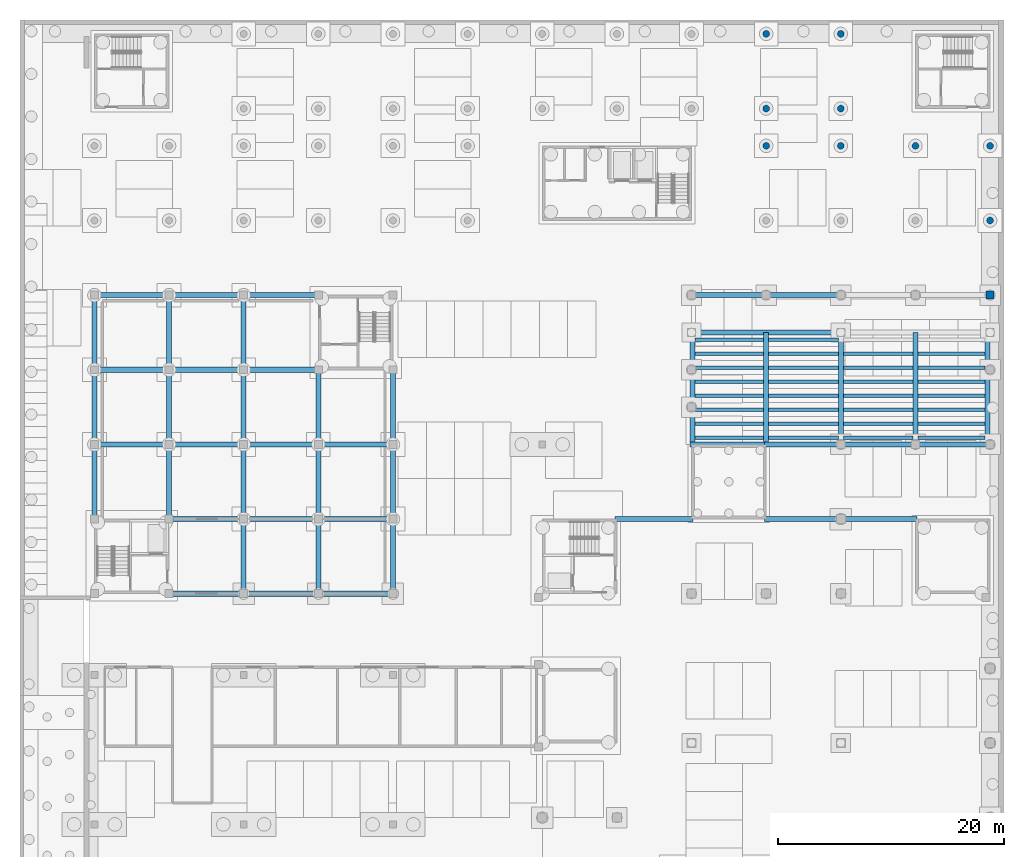
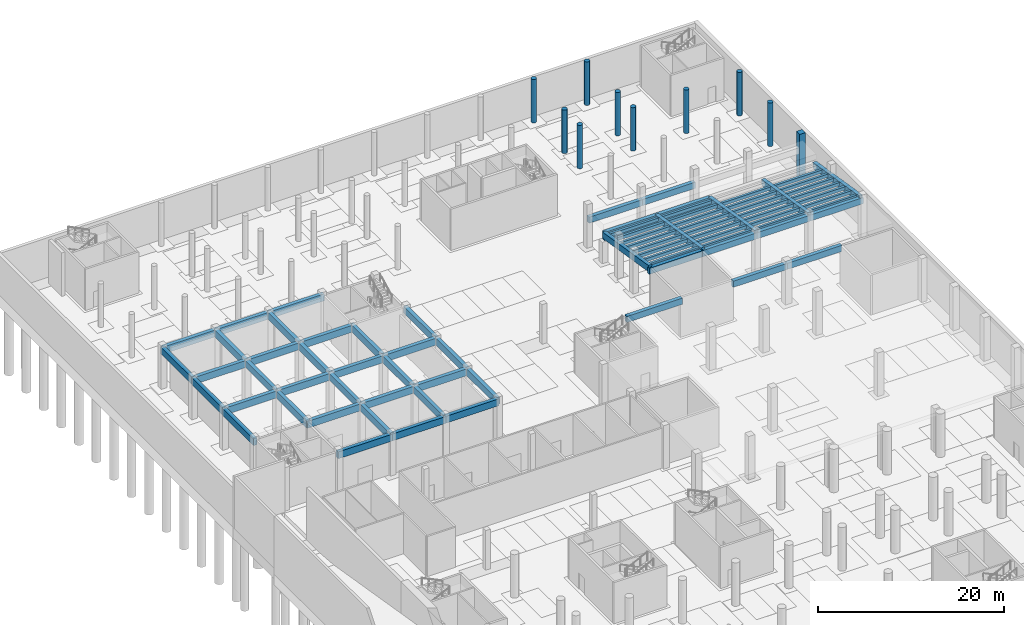
# One storey, part 6 of 38: 77 beams, 10 columns.
"""IFC4 building model written with IfcOpenShell, lengths in metres."""

from ifc_helpers import new_model, si_unit, direction, frame, origin, origin_2d, place, context, subcontext, project, spatial, rectangle, circle, extrude, material, material_profile, profile_set, type_object, element, save


model = new_model("IFC4")

# Units and contexts
model_context = context("Model", 3, precision=1e-05, world=origin(), true_north=direction((0.0, 1.0)))
body_context = subcontext(model_context, "Body", "Model", "MODEL_VIEW")
ifc_project = project(units=[si_unit("LENGTHUNIT", "METRE"), si_unit("AREAUNIT", "SQUARE_METRE"), si_unit("VOLUMEUNIT", "CUBIC_METRE"), si_unit("PLANEANGLEUNIT", "RADIAN"), si_unit("MASSUNIT", "GRAM", prefix="KILO")], contexts=[model_context])

# Site, building, storey
site_placement = place(None, origin())
site = spatial("IfcSite", under=ifc_project, at=site_placement, CompositionType="ELEMENT")
building_placement = place(site_placement, origin())
building = spatial("IfcBuilding", under=site, at=building_placement, Name="Lantern Court Research Institute", CompositionType="ELEMENT")
storey_placement = place(building_placement, frame((0.0, 0.0, -5.699951171875)))
storey = spatial("IfcBuildingStorey", under=building, at=storey_placement, Name="B1", CompositionType="ELEMENT", Elevation=-5.699951171875)

# Columns
ifc_material_1 = material(Name="Concrete C40/50", Category="concrete")
ifc_material_profile_1 = material_profile(ifc_material_1, rectangle(XDim=0.699951171875, YDim=0.699951171875, at=origin_2d()), Name="Hall column 700 x 700")
ifc_profile_set_1 = profile_set([ifc_material_profile_1], Name="Concrete C40/50")
column_type_1 = type_object("IfcColumnType", Name="Hall column 700 x 700", PredefinedType="COLUMN", material=ifc_profile_set_1)
column_placement = place(storey_placement, frame((79.199951171875, 75.89990234375, 0.0), z_axis=(0.0, 0.0, 1.0), x_axis=(1.0, 0.0, 0.0)))
element("IfcColumn", 1, at=column_placement, inside=storey, type_object=column_type_1, Name="Hall column", PredefinedType="COLUMN", context=body_context, shape_type="SweptSolid", body=[
    extrude(rectangle(XDim=0.699951171875, YDim=0.699951171875, at=origin_2d()), origin(), (0.0, 0.0, 1.0), 5.699951171875),
])
ifc_material_2 = material(Name="Concrete C40/50", Category="concrete")
ifc_material_profile_2 = material_profile(ifc_material_2, circle(Radius=0.300048828125, at=origin_2d()), Name="RC round column 600")
ifc_profile_set_2 = profile_set([ifc_material_profile_2], Name="Concrete C40/50")
column_type_2 = type_object("IfcColumnType", Name="RC round column 600", PredefinedType="COLUMN", material=ifc_profile_set_2)
for number, where, z_axis, x_axis, name in (
    (2, (59.39990234375, 89.10009765625, 0.0), (0.0, 0.0, 1.0), (1.0, 0.0, 0.0), "Column B1 grid 10/K"),
    (3, (59.39990234375, 92.39990234375, 0.0), (0.0, 0.0, 1.0), (1.0, 0.0, 0.0), "Column B1 grid 10/L"),
    (4, (59.39990234375, 99.0, 0.0), (0.0, 0.0, 1.0), (1.0, 0.0, 0.0), "Column B1 grid 10/M"),
    (5, (66.0, 89.10009765625, 0.0), (0.0, 0.0, 1.0), (1.0, 0.0, 0.0), "Column B1 grid 11/K"),
    (6, (66.0, 92.39990234375, 0.0), (0.0, 0.0, 1.0), (1.0, 0.0, 0.0), "Column B1 grid 11/L"),
    (7, (66.0, 99.0, 0.0), (0.0, 0.0, 1.0), (1.0, 0.0, 0.0), "Column B1 grid 11/M"),
    (8, (72.60009765625, 89.10009765625, 0.0), (0.0, 0.0, 1.0), (1.0, 0.0, 0.0), "Column B1 grid 12/K"),
    (9, (79.199951171875, 82.5, 0.0), (0.0, 0.0, 1.0), (1.0, 0.0, 0.0), "Column B1 grid 13/J"),
    (10, (79.199951171875, 89.10009765625, 0.0), (0.0, 0.0, 1.0), (1.0, 0.0, 0.0), "Column B1 grid 13/K"),
):
    element("IfcColumn", number, at=place(storey_placement, frame(where, z_axis=z_axis, x_axis=x_axis)), inside=storey, type_object=column_type_2, Name=name, PredefinedType="COLUMN", context=body_context, shape_type="SweptSolid", body=[
        extrude(circle(Radius=0.300048828125, at=origin_2d()), origin(), (0.0, 0.0, 1.0), 5.699951171875),
    ])

# Beams
ifc_material_3 = material(Name="Concrete C40/50", Category="concrete")
ifc_material_profile_3 = material_profile(ifc_material_3, rectangle(XDim=0.449951171875, YDim=0.89990234375, at=origin_2d()), Name="Clean room beam 450 x 900")
ifc_profile_set_3 = profile_set([ifc_material_profile_3], Name="Concrete C40/50")
beam_type_1 = type_object("IfcBeamType", Name="Clean room beam 450 x 900", PredefinedType="BEAM", material=ifc_profile_set_3)
beam_1_placement = place(storey_placement, frame((6.449951171875, 49.5, 4.89990234375), z_axis=(1.0, 0.0, 0.0), x_axis=(0.0, 1.0, 0.0)))
element("IfcBeam", 11, at=beam_1_placement, inside=storey, type_object=beam_type_1, Name="Clean room beam", PredefinedType="BEAM", context=body_context, shape_type="SweptSolid", body=[
    extrude(rectangle(XDim=0.449951171875, YDim=0.89990234375, at=origin_2d()), origin(), (0.0, 0.0, 1.0), 6.75),
])
beam_2_placement = place(storey_placement, frame((13.199951171875, 49.5, 4.89990234375), z_axis=(1.0, 0.0, 0.0), x_axis=(0.0, 1.0, 0.0)))
element("IfcBeam", 12, at=beam_2_placement, inside=storey, type_object=beam_type_1, Name="Clean room beam", PredefinedType="BEAM", context=body_context, shape_type="SweptSolid", body=[
    extrude(rectangle(XDim=0.449951171875, YDim=0.89990234375, at=origin_2d()), origin(), (0.0, 0.0, 1.0), 6.60009765625),
])
beam_3_placement = place(storey_placement, frame((19.800048828125, 49.5, 4.89990234375), z_axis=(1.0, 0.0, 0.0), x_axis=(0.0, 1.0, 0.0)))
element("IfcBeam", 13, at=beam_3_placement, inside=storey, type_object=beam_type_1, Name="Clean room beam", PredefinedType="BEAM", context=body_context, shape_type="SweptSolid", body=[
    extrude(rectangle(XDim=0.449951171875, YDim=0.89990234375, at=origin_2d()), origin(), (0.0, 0.0, 1.0), 6.599853515625),
])
beam_4_placement = place(storey_placement, frame((6.449951171875, 56.10009765625, 4.89990234375), z_axis=(1.0, 0.0, 0.0), x_axis=(0.0, 1.0, 0.0)))
element("IfcBeam", 14, at=beam_4_placement, inside=storey, type_object=beam_type_1, Name="Clean room beam", PredefinedType="BEAM", context=body_context, shape_type="SweptSolid", body=[
    extrude(rectangle(XDim=0.449951171875, YDim=0.89990234375, at=origin_2d()), origin(), (0.0, 0.0, 1.0), 6.75),
])
beam_5_placement = place(storey_placement, frame((13.199951171875, 56.10009765625, 4.89990234375), z_axis=(1.0, 0.0, 0.0), x_axis=(0.0, 1.0, 0.0)))
element("IfcBeam", 15, at=beam_5_placement, inside=storey, type_object=beam_type_1, Name="Clean room beam", PredefinedType="BEAM", context=body_context, shape_type="SweptSolid", body=[
    extrude(rectangle(XDim=0.449951171875, YDim=0.89990234375, at=origin_2d()), origin(), (0.0, 0.0, 1.0), 6.60009765625),
])
beam_6_placement = place(storey_placement, frame((19.800048828125, 56.10009765625, 4.89990234375), z_axis=(1.0, 0.0, 0.0), x_axis=(0.0, 1.0, 0.0)))
element("IfcBeam", 16, at=beam_6_placement, inside=storey, type_object=beam_type_1, Name="Clean room beam", PredefinedType="BEAM", context=body_context, shape_type="SweptSolid", body=[
    extrude(rectangle(XDim=0.449951171875, YDim=0.89990234375, at=origin_2d()), origin(), (0.0, 0.0, 1.0), 6.599853515625),
])
beam_7_placement = place(storey_placement, frame((0.0, 62.699951171875, 4.89990234375), z_axis=(1.0, 0.0, 0.0), x_axis=(0.0, 1.0, 0.0)))
element("IfcBeam", 17, at=beam_7_placement, inside=storey, type_object=beam_type_1, Name="Clean room beam", PredefinedType="BEAM", context=body_context, shape_type="SweptSolid", body=[
    extrude(rectangle(XDim=0.449951171875, YDim=0.89990234375, at=origin_2d()), origin(), (0.0, 0.0, 1.0), 6.60009765625),
])
beam_8_placement = place(storey_placement, frame((6.60009765625, 62.699951171875, 4.89990234375), z_axis=(1.0, 0.0, 0.0), x_axis=(0.0, 1.0, 0.0)))
element("IfcBeam", 18, at=beam_8_placement, inside=storey, type_object=beam_type_1, Name="Clean room beam", PredefinedType="BEAM", context=body_context, shape_type="SweptSolid", body=[
    extrude(rectangle(XDim=0.449951171875, YDim=0.89990234375, at=origin_2d()), origin(), (0.0, 0.0, 1.0), 6.599853515625),
])
beam_9_placement = place(storey_placement, frame((13.199951171875, 62.699951171875, 4.89990234375), z_axis=(1.0, 0.0, 0.0), x_axis=(0.0, 1.0, 0.0)))
element("IfcBeam", 19, at=beam_9_placement, inside=storey, type_object=beam_type_1, Name="Clean room beam", PredefinedType="BEAM", context=body_context, shape_type="SweptSolid", body=[
    extrude(rectangle(XDim=0.449951171875, YDim=0.89990234375, at=origin_2d()), origin(), (0.0, 0.0, 1.0), 6.60009765625),
])
beam_10_placement = place(storey_placement, frame((19.800048828125, 62.699951171875, 4.89990234375), z_axis=(1.0, 0.0, 0.0), x_axis=(0.0, 1.0, 0.0)))
element("IfcBeam", 20, at=beam_10_placement, inside=storey, type_object=beam_type_1, Name="Clean room beam", PredefinedType="BEAM", context=body_context, shape_type="SweptSolid", body=[
    extrude(rectangle(XDim=0.449951171875, YDim=0.89990234375, at=origin_2d()), origin(), (0.0, 0.0, 1.0), 6.599853515625),
])
beam_11_placement = place(storey_placement, frame((0.0, 69.300048828125, 4.89990234375), z_axis=(1.0, 0.0, 0.0), x_axis=(0.0, 1.0, 0.0)))
element("IfcBeam", 21, at=beam_11_placement, inside=storey, type_object=beam_type_1, Name="Clean room beam", PredefinedType="BEAM", context=body_context, shape_type="SweptSolid", body=[
    extrude(rectangle(XDim=0.449951171875, YDim=0.89990234375, at=origin_2d()), origin(), (0.0, 0.0, 1.0), 6.60009765625),
])
beam_12_placement = place(storey_placement, frame((6.60009765625, 69.300048828125, 4.89990234375), z_axis=(1.0, 0.0, 0.0), x_axis=(0.0, 1.0, 0.0)))
element("IfcBeam", 22, at=beam_12_placement, inside=storey, type_object=beam_type_1, Name="Clean room beam", PredefinedType="BEAM", context=body_context, shape_type="SweptSolid", body=[
    extrude(rectangle(XDim=0.449951171875, YDim=0.89990234375, at=origin_2d()), origin(), (0.0, 0.0, 1.0), 6.599853515625),
])
beam_13_placement = place(storey_placement, frame((13.199951171875, 69.300048828125, 4.89990234375), z_axis=(1.0, 0.0, 0.0), x_axis=(0.0, 1.0, 0.0)))
element("IfcBeam", 23, at=beam_13_placement, inside=storey, type_object=beam_type_1, Name="Clean room beam", PredefinedType="BEAM", context=body_context, shape_type="SweptSolid", body=[
    extrude(rectangle(XDim=0.449951171875, YDim=0.89990234375, at=origin_2d()), origin(), (0.0, 0.0, 1.0), 6.75),
])
beam_14_placement = place(storey_placement, frame((0.0, 75.89990234375, 4.89990234375), z_axis=(1.0, 0.0, 0.0), x_axis=(0.0, 1.0, 0.0)))
element("IfcBeam", 24, at=beam_14_placement, inside=storey, type_object=beam_type_1, Name="Clean room beam", PredefinedType="BEAM", context=body_context, shape_type="SweptSolid", body=[
    extrude(rectangle(XDim=0.449951171875, YDim=0.89990234375, at=origin_2d()), origin(), (0.0, 0.0, 1.0), 6.60009765625),
])
beam_15_placement = place(storey_placement, frame((6.60009765625, 75.89990234375, 4.89990234375), z_axis=(1.0, 0.0, 0.0), x_axis=(0.0, 1.0, 0.0)))
element("IfcBeam", 25, at=beam_15_placement, inside=storey, type_object=beam_type_1, Name="Clean room beam", PredefinedType="BEAM", context=body_context, shape_type="SweptSolid", body=[
    extrude(rectangle(XDim=0.449951171875, YDim=0.89990234375, at=origin_2d()), origin(), (0.0, 0.0, 1.0), 6.599853515625),
])
for number, where, z_axis, x_axis, name in (
    (26, (13.199951171875, 75.89990234375, 4.89990234375), (1.0, 0.0, 0.0), (0.0, 1.0, 0.0), "Clean room beam"),
    (27, (0.0, 55.949951171875, 4.89990234375), (0.0, 1.0, 0.0), (-1.0, 0.0, 0.0), "Clean room beam"),
):
    element("IfcBeam", number, at=place(storey_placement, frame(where, z_axis=z_axis, x_axis=x_axis)), inside=storey, type_object=beam_type_1, Name=name, PredefinedType="BEAM", context=body_context, shape_type="SweptSolid", body=[
        extrude(rectangle(XDim=0.449951171875, YDim=0.89990234375, at=origin_2d()), origin(), (0.0, 0.0, 1.0), 6.75),
    ])
beam_16_placement = place(storey_placement, frame((0.0, 62.699951171875, 4.89990234375), z_axis=(0.0, 1.0, 0.0), x_axis=(-1.0, 0.0, 0.0)))
element("IfcBeam", 28, at=beam_16_placement, inside=storey, type_object=beam_type_1, Name="Clean room beam", PredefinedType="BEAM", context=body_context, shape_type="SweptSolid", body=[
    extrude(rectangle(XDim=0.449951171875, YDim=0.89990234375, at=origin_2d()), origin(), (0.0, 0.0, 1.0), 6.60009765625),
])
beam_17_placement = place(storey_placement, frame((0.0, 69.300048828125, 4.89990234375), z_axis=(0.0, 1.0, 0.0), x_axis=(-1.0, 0.0, 0.0)))
element("IfcBeam", 29, at=beam_17_placement, inside=storey, type_object=beam_type_1, Name="Clean room beam", PredefinedType="BEAM", context=body_context, shape_type="SweptSolid", body=[
    extrude(rectangle(XDim=0.449951171875, YDim=0.89990234375, at=origin_2d()), origin(), (0.0, 0.0, 1.0), 6.599853515625),
])
beam_18_placement = place(storey_placement, frame((6.60009765625, 55.949951171875, 4.89990234375), z_axis=(0.0, 1.0, 0.0), x_axis=(-1.0, 0.0, 0.0)))
element("IfcBeam", 30, at=beam_18_placement, inside=storey, type_object=beam_type_1, Name="Clean room beam", PredefinedType="BEAM", context=body_context, shape_type="SweptSolid", body=[
    extrude(rectangle(XDim=0.449951171875, YDim=0.89990234375, at=origin_2d()), origin(), (0.0, 0.0, 1.0), 6.75),
])
beam_19_placement = place(storey_placement, frame((6.60009765625, 62.699951171875, 4.89990234375), z_axis=(0.0, 1.0, 0.0), x_axis=(-1.0, 0.0, 0.0)))
element("IfcBeam", 31, at=beam_19_placement, inside=storey, type_object=beam_type_1, Name="Clean room beam", PredefinedType="BEAM", context=body_context, shape_type="SweptSolid", body=[
    extrude(rectangle(XDim=0.449951171875, YDim=0.89990234375, at=origin_2d()), origin(), (0.0, 0.0, 1.0), 6.60009765625),
])
beam_20_placement = place(storey_placement, frame((6.60009765625, 69.300048828125, 4.89990234375), z_axis=(0.0, 1.0, 0.0), x_axis=(-1.0, 0.0, 0.0)))
element("IfcBeam", 32, at=beam_20_placement, inside=storey, type_object=beam_type_1, Name="Clean room beam", PredefinedType="BEAM", context=body_context, shape_type="SweptSolid", body=[
    extrude(rectangle(XDim=0.449951171875, YDim=0.89990234375, at=origin_2d()), origin(), (0.0, 0.0, 1.0), 6.599853515625),
])
beam_21_placement = place(storey_placement, frame((13.199951171875, 49.5, 4.89990234375), z_axis=(0.0, 1.0, 0.0), x_axis=(-1.0, 0.0, 0.0)))
element("IfcBeam", 33, at=beam_21_placement, inside=storey, type_object=beam_type_1, Name="Clean room beam", PredefinedType="BEAM", context=body_context, shape_type="SweptSolid", body=[
    extrude(rectangle(XDim=0.449951171875, YDim=0.89990234375, at=origin_2d()), origin(), (0.0, 0.0, 1.0), 6.60009765625),
])
beam_22_placement = place(storey_placement, frame((13.199951171875, 56.10009765625, 4.89990234375), z_axis=(0.0, 1.0, 0.0), x_axis=(-1.0, 0.0, 0.0)))
element("IfcBeam", 34, at=beam_22_placement, inside=storey, type_object=beam_type_1, Name="Clean room beam", PredefinedType="BEAM", context=body_context, shape_type="SweptSolid", body=[
    extrude(rectangle(XDim=0.449951171875, YDim=0.89990234375, at=origin_2d()), origin(), (0.0, 0.0, 1.0), 6.599853515625),
])
beam_23_placement = place(storey_placement, frame((13.199951171875, 62.699951171875, 4.89990234375), z_axis=(0.0, 1.0, 0.0), x_axis=(-1.0, 0.0, 0.0)))
element("IfcBeam", 35, at=beam_23_placement, inside=storey, type_object=beam_type_1, Name="Clean room beam", PredefinedType="BEAM", context=body_context, shape_type="SweptSolid", body=[
    extrude(rectangle(XDim=0.449951171875, YDim=0.89990234375, at=origin_2d()), origin(), (0.0, 0.0, 1.0), 6.60009765625),
])
beam_24_placement = place(storey_placement, frame((13.199951171875, 69.300048828125, 4.89990234375), z_axis=(0.0, 1.0, 0.0), x_axis=(-1.0, 0.0, 0.0)))
element("IfcBeam", 36, at=beam_24_placement, inside=storey, type_object=beam_type_1, Name="Clean room beam", PredefinedType="BEAM", context=body_context, shape_type="SweptSolid", body=[
    extrude(rectangle(XDim=0.449951171875, YDim=0.89990234375, at=origin_2d()), origin(), (0.0, 0.0, 1.0), 6.599853515625),
])
beam_25_placement = place(storey_placement, frame((19.800048828125, 49.5, 4.89990234375), z_axis=(0.0, 1.0, 0.0), x_axis=(-1.0, 0.0, 0.0)))
element("IfcBeam", 37, at=beam_25_placement, inside=storey, type_object=beam_type_1, Name="Clean room beam", PredefinedType="BEAM", context=body_context, shape_type="SweptSolid", body=[
    extrude(rectangle(XDim=0.449951171875, YDim=0.89990234375, at=origin_2d()), origin(), (0.0, 0.0, 1.0), 6.60009765625),
])
beam_26_placement = place(storey_placement, frame((19.800048828125, 56.10009765625, 4.89990234375), z_axis=(0.0, 1.0, 0.0), x_axis=(-1.0, 0.0, 0.0)))
element("IfcBeam", 38, at=beam_26_placement, inside=storey, type_object=beam_type_1, Name="Clean room beam", PredefinedType="BEAM", context=body_context, shape_type="SweptSolid", body=[
    extrude(rectangle(XDim=0.449951171875, YDim=0.89990234375, at=origin_2d()), origin(), (0.0, 0.0, 1.0), 6.599853515625),
])
beam_27_placement = place(storey_placement, frame((19.800048828125, 62.699951171875, 4.89990234375), z_axis=(0.0, 1.0, 0.0), x_axis=(-1.0, 0.0, 0.0)))
element("IfcBeam", 39, at=beam_27_placement, inside=storey, type_object=beam_type_1, Name="Clean room beam", PredefinedType="BEAM", context=body_context, shape_type="SweptSolid", body=[
    extrude(rectangle(XDim=0.449951171875, YDim=0.89990234375, at=origin_2d()), origin(), (0.0, 0.0, 1.0), 6.75),
])
beam_28_placement = place(storey_placement, frame((26.39990234375, 49.5, 4.89990234375), z_axis=(0.0, 1.0, 0.0), x_axis=(-1.0, 0.0, 0.0)))
element("IfcBeam", 40, at=beam_28_placement, inside=storey, type_object=beam_type_1, Name="Clean room beam", PredefinedType="BEAM", context=body_context, shape_type="SweptSolid", body=[
    extrude(rectangle(XDim=0.449951171875, YDim=0.89990234375, at=origin_2d()), origin(), (0.0, 0.0, 1.0), 6.60009765625),
])
beam_29_placement = place(storey_placement, frame((26.39990234375, 56.10009765625, 4.89990234375), z_axis=(0.0, 1.0, 0.0), x_axis=(-1.0, 0.0, 0.0)))
element("IfcBeam", 41, at=beam_29_placement, inside=storey, type_object=beam_type_1, Name="Clean room beam", PredefinedType="BEAM", context=body_context, shape_type="SweptSolid", body=[
    extrude(rectangle(XDim=0.449951171875, YDim=0.89990234375, at=origin_2d()), origin(), (0.0, 0.0, 1.0), 6.599853515625),
])
beam_30_placement = place(storey_placement, frame((26.39990234375, 62.699951171875, 4.89990234375), z_axis=(0.0, 1.0, 0.0), x_axis=(-1.0, 0.0, 0.0)))
element("IfcBeam", 42, at=beam_30_placement, inside=storey, type_object=beam_type_1, Name="Clean room beam", PredefinedType="BEAM", context=body_context, shape_type="SweptSolid", body=[
    extrude(rectangle(XDim=0.449951171875, YDim=0.89990234375, at=origin_2d()), origin(), (0.0, 0.0, 1.0), 6.75),
])
ifc_material_4 = material(Name="Concrete C40/50", Category="concrete")
ifc_material_profile_4 = material_profile(ifc_material_4, rectangle(XDim=0.449951171875, YDim=1.10009765625, at=origin_2d()), Name="Hall beam 450 x 1100")
ifc_profile_set_4 = profile_set([ifc_material_profile_4], Name="Concrete C40/50")
beam_type_2 = type_object("IfcBeamType", Name="Hall beam 450 x 1100", PredefinedType="BEAM", material=ifc_profile_set_4)
beam_31_placement = place(storey_placement, frame((52.800048828125, 72.60009765625, 3.33984375), z_axis=(1.0, 0.0, 0.0), x_axis=(0.0, 1.0, 0.0)))
element("IfcBeam", 43, at=beam_31_placement, inside=storey, type_object=beam_type_2, Name="Stage front beam", PredefinedType="BEAM", context=body_context, shape_type="SweptSolid", body=[
    extrude(rectangle(XDim=0.449951171875, YDim=1.10009765625, at=origin_2d()), origin(), (0.0, 0.0, 1.0), 13.199951171875),
])
ifc_material_5 = material(Name="Concrete C40/50", Category="concrete")
ifc_material_profile_5 = material_profile(ifc_material_5, rectangle(XDim=0.449951171875, YDim=0.800048828125, at=origin_2d()), Name="Hall beam 450 x 800")
ifc_profile_set_5 = profile_set([ifc_material_profile_5], Name="Concrete C40/50")
beam_type_3 = type_object("IfcBeamType", Name="Hall beam 450 x 800", PredefinedType="BEAM", material=ifc_profile_set_5)
beam_32_placement = place(storey_placement, frame((46.050048828125, 56.10009765625, 4.849853515625), z_axis=(1.0, 0.0, 0.0), x_axis=(0.0, 1.0, 0.0)))
element("IfcBeam", 44, at=beam_32_placement, inside=storey, type_object=beam_type_3, Name="Ground floor beam", PredefinedType="BEAM", context=body_context, shape_type="SweptSolid", body=[
    extrude(rectangle(XDim=0.449951171875, YDim=0.800048828125, at=origin_2d()), origin(), (0.0, 0.0, 1.0), 6.89990234375),
])
for number, where, z_axis, x_axis, name in (
    (45, (59.25, 56.10009765625, 4.849853515625), (1.0, 0.0, 0.0), (0.0, 1.0, 0.0), "Ground floor beam"),
    (46, (66.0, 56.10009765625, 4.849853515625), (1.0, 0.0, 0.0), (0.0, 1.0, 0.0), "Ground floor beam"),
):
    element("IfcBeam", number, at=place(storey_placement, frame(where, z_axis=z_axis, x_axis=x_axis)), inside=storey, type_object=beam_type_3, Name=name, PredefinedType="BEAM", context=body_context, shape_type="SweptSolid", body=[
        extrude(rectangle(XDim=0.449951171875, YDim=0.800048828125, at=origin_2d()), origin(), (0.0, 0.0, 1.0), 6.75),
    ])
for number, where, z_axis, x_axis, name in (
    (47, (52.875, 62.63623046875, 5.094970703125), (0.0, 0.987192557582, -0.159533238714), (-1.0, 0.0, 0.0), "Raking beam"),
    (48, (59.39990234375, 62.63623046875, 5.094970703125), (0.0, 0.987192557582, -0.159533238714), (-1.0, 0.0, 0.0), "Raking beam"),
    (49, (66.0, 62.63623046875, 5.094970703125), (0.0, 0.987192557582, -0.159533238714), (-1.0, 0.0, 0.0), "Raking beam"),
    (50, (72.60009765625, 62.63623046875, 5.094970703125), (0.0, 0.987192557582, -0.159533238714), (-1.0, 0.0, 0.0), "Raking beam"),
    (51, (78.97509765625, 62.63623046875, 5.094970703125), (0.0, 0.987192557582, -0.159533238714), (-1.0, 0.0, 0.0), "Raking beam"),
):
    element("IfcBeam", number, at=place(storey_placement, frame(where, z_axis=z_axis, x_axis=x_axis)), inside=storey, type_object=beam_type_3, Name=name, PredefinedType="BEAM", context=body_context, shape_type="SweptSolid", body=[
        extrude(rectangle(XDim=0.449951171875, YDim=0.800048828125, at=origin_2d()), origin(), (0.0, 0.0, 1.0), 10.0283203125),
    ])
beam_33_placement = place(storey_placement, frame((52.64990234375, 62.699951171875, 4.849853515625), z_axis=(1.0, 0.0, 0.0), x_axis=(0.0, 1.0, 0.0)))
element("IfcBeam", 52, at=beam_33_placement, inside=storey, type_object=beam_type_3, Name="Wall line beam", PredefinedType="BEAM", context=body_context, shape_type="SweptSolid", body=[
    extrude(rectangle(XDim=0.449951171875, YDim=0.800048828125, at=origin_2d()), origin(), (0.0, 0.0, 1.0), 6.900146484375),
])
beam_34_placement = place(storey_placement, frame((59.25, 62.699951171875, 4.849853515625), z_axis=(1.0, 0.0, 0.0), x_axis=(0.0, 1.0, 0.0)))
element("IfcBeam", 53, at=beam_34_placement, inside=storey, type_object=beam_type_3, Name="Wall line beam", PredefinedType="BEAM", context=body_context, shape_type="SweptSolid", body=[
    extrude(rectangle(XDim=0.449951171875, YDim=0.800048828125, at=origin_2d()), origin(), (0.0, 0.0, 1.0), 6.75),
])
beam_35_placement = place(storey_placement, frame((66.0, 62.699951171875, 4.849853515625), z_axis=(1.0, 0.0, 0.0), x_axis=(0.0, 1.0, 0.0)))
element("IfcBeam", 54, at=beam_35_placement, inside=storey, type_object=beam_type_3, Name="Wall line beam", PredefinedType="BEAM", context=body_context, shape_type="SweptSolid", body=[
    extrude(rectangle(XDim=0.449951171875, YDim=0.800048828125, at=origin_2d()), origin(), (0.0, 0.0, 1.0), 6.60009765625),
])
for number, where, z_axis, x_axis, name in (
    (55, (72.60009765625, 62.699951171875, 4.849853515625), (1.0, 0.0, 0.0), (0.0, 1.0, 0.0), "Wall line beam"),
    (56, (52.800048828125, 75.89990234375, 3.489990234375), (1.0, 0.0, 0.0), (0.0, 1.0, 0.0), "Stage back beam"),
):
    element("IfcBeam", number, at=place(storey_placement, frame(where, z_axis=z_axis, x_axis=x_axis)), inside=storey, type_object=beam_type_3, Name=name, PredefinedType="BEAM", context=body_context, shape_type="SweptSolid", body=[
        extrude(rectangle(XDim=0.449951171875, YDim=0.800048828125, at=origin_2d()), origin(), (0.0, 0.0, 1.0), 6.599853515625),
    ])
beam_36_placement = place(storey_placement, frame((59.39990234375, 75.89990234375, 3.489990234375), z_axis=(1.0, 0.0, 0.0), x_axis=(0.0, 1.0, 0.0)))
element("IfcBeam", 57, at=beam_36_placement, inside=storey, type_object=beam_type_3, Name="Stage back beam", PredefinedType="BEAM", context=body_context, shape_type="SweptSolid", body=[
    extrude(rectangle(XDim=0.449951171875, YDim=0.800048828125, at=origin_2d()), origin(), (0.0, 0.0, 1.0), 6.60009765625),
])
ifc_material_6 = material(Name="Concrete C40/50", Category="concrete")
ifc_material_profile_6 = material_profile(ifc_material_6, rectangle(XDim=0.300048828125, YDim=0.39990234375, at=origin_2d()), Name="Step rib 300 x 400")
ifc_profile_set_6 = profile_set([ifc_material_profile_6], Name="Concrete C40/50")
beam_type_4 = type_object("IfcBeamType", Name="Step rib 300 x 400", PredefinedType="BEAM", material=ifc_profile_set_6)
beam_37_placement = place(storey_placement, frame((53.10009765625, 63.300048828125, 5.099853515625), z_axis=(1.0, 0.0, 0.0), x_axis=(0.0, 1.0, 0.0)))
element("IfcBeam", 58, at=beam_37_placement, inside=storey, type_object=beam_type_4, Name="Step rib", PredefinedType="BEAM", context=body_context, shape_type="SweptSolid", body=[
    extrude(rectangle(XDim=0.300048828125, YDim=0.39990234375, at=origin_2d()), origin(), (0.0, 0.0, 1.0), 6.074951171875),
])
for number, where, z_axis, x_axis, name in (
    (59, (59.625, 63.300048828125, 5.099853515625), (1.0, 0.0, 0.0), (0.0, 1.0, 0.0), "Step rib"),
    (60, (66.22509765625, 63.300048828125, 5.099853515625), (1.0, 0.0, 0.0), (0.0, 1.0, 0.0), "Step rib"),
):
    element("IfcBeam", number, at=place(storey_placement, frame(where, z_axis=z_axis, x_axis=x_axis)), inside=storey, type_object=beam_type_4, Name=name, PredefinedType="BEAM", context=body_context, shape_type="SweptSolid", body=[
        extrude(rectangle(XDim=0.300048828125, YDim=0.39990234375, at=origin_2d()), origin(), (0.0, 0.0, 1.0), 6.14990234375),
    ])
beam_38_placement = place(storey_placement, frame((72.824951171875, 63.300048828125, 5.099853515625), z_axis=(1.0, 0.0, 0.0), x_axis=(0.0, 1.0, 0.0)))
element("IfcBeam", 61, at=beam_38_placement, inside=storey, type_object=beam_type_4, Name="Step rib", PredefinedType="BEAM", context=body_context, shape_type="SweptSolid", body=[
    extrude(rectangle(XDim=0.300048828125, YDim=0.39990234375, at=origin_2d()), origin(), (0.0, 0.0, 1.0), 5.925048828125),
])
beam_39_placement = place(storey_placement, frame((53.10009765625, 64.53759765625, 4.89990234375), z_axis=(1.0, 0.0, 0.0), x_axis=(0.0, 1.0, 0.0)))
element("IfcBeam", 62, at=beam_39_placement, inside=storey, type_object=beam_type_4, Name="Step rib", PredefinedType="BEAM", context=body_context, shape_type="SweptSolid", body=[
    extrude(rectangle(XDim=0.300048828125, YDim=0.39990234375, at=origin_2d()), origin(), (0.0, 0.0, 1.0), 6.074951171875),
])
for number, where, z_axis, x_axis, name in (
    (63, (59.625, 64.53759765625, 4.89990234375), (1.0, 0.0, 0.0), (0.0, 1.0, 0.0), "Step rib"),
    (64, (66.22509765625, 64.53759765625, 4.89990234375), (1.0, 0.0, 0.0), (0.0, 1.0, 0.0), "Step rib"),
):
    element("IfcBeam", number, at=place(storey_placement, frame(where, z_axis=z_axis, x_axis=x_axis)), inside=storey, type_object=beam_type_4, Name=name, PredefinedType="BEAM", context=body_context, shape_type="SweptSolid", body=[
        extrude(rectangle(XDim=0.300048828125, YDim=0.39990234375, at=origin_2d()), origin(), (0.0, 0.0, 1.0), 6.14990234375),
    ])
beam_40_placement = place(storey_placement, frame((72.824951171875, 64.53759765625, 4.89990234375), z_axis=(1.0, 0.0, 0.0), x_axis=(0.0, 1.0, 0.0)))
element("IfcBeam", 65, at=beam_40_placement, inside=storey, type_object=beam_type_4, Name="Step rib", PredefinedType="BEAM", context=body_context, shape_type="SweptSolid", body=[
    extrude(rectangle(XDim=0.300048828125, YDim=0.39990234375, at=origin_2d()), origin(), (0.0, 0.0, 1.0), 5.925048828125),
])
beam_41_placement = place(storey_placement, frame((53.10009765625, 65.77490234375, 4.699951171875), z_axis=(1.0, 0.0, 0.0), x_axis=(0.0, 1.0, 0.0)))
element("IfcBeam", 66, at=beam_41_placement, inside=storey, type_object=beam_type_4, Name="Step rib", PredefinedType="BEAM", context=body_context, shape_type="SweptSolid", body=[
    extrude(rectangle(XDim=0.300048828125, YDim=0.39990234375, at=origin_2d()), origin(), (0.0, 0.0, 1.0), 6.074951171875),
])
for number, where, z_axis, x_axis, name in (
    (67, (59.625, 65.77490234375, 4.699951171875), (1.0, 0.0, 0.0), (0.0, 1.0, 0.0), "Step rib"),
    (68, (66.22509765625, 65.77490234375, 4.699951171875), (1.0, 0.0, 0.0), (0.0, 1.0, 0.0), "Step rib"),
):
    element("IfcBeam", number, at=place(storey_placement, frame(where, z_axis=z_axis, x_axis=x_axis)), inside=storey, type_object=beam_type_4, Name=name, PredefinedType="BEAM", context=body_context, shape_type="SweptSolid", body=[
        extrude(rectangle(XDim=0.300048828125, YDim=0.39990234375, at=origin_2d()), origin(), (0.0, 0.0, 1.0), 6.14990234375),
    ])
beam_42_placement = place(storey_placement, frame((72.824951171875, 65.77490234375, 4.699951171875), z_axis=(1.0, 0.0, 0.0), x_axis=(0.0, 1.0, 0.0)))
element("IfcBeam", 69, at=beam_42_placement, inside=storey, type_object=beam_type_4, Name="Step rib", PredefinedType="BEAM", context=body_context, shape_type="SweptSolid", body=[
    extrude(rectangle(XDim=0.300048828125, YDim=0.39990234375, at=origin_2d()), origin(), (0.0, 0.0, 1.0), 5.925048828125),
])
beam_43_placement = place(storey_placement, frame((53.10009765625, 67.012451171875, 4.5), z_axis=(1.0, 0.0, 0.0), x_axis=(0.0, 1.0, 0.0)))
element("IfcBeam", 70, at=beam_43_placement, inside=storey, type_object=beam_type_4, Name="Step rib", PredefinedType="BEAM", context=body_context, shape_type="SweptSolid", body=[
    extrude(rectangle(XDim=0.300048828125, YDim=0.39990234375, at=origin_2d()), origin(), (0.0, 0.0, 1.0), 6.074951171875),
])
for number, where, z_axis, x_axis, name in (
    (71, (59.625, 67.012451171875, 4.5), (1.0, 0.0, 0.0), (0.0, 1.0, 0.0), "Step rib"),
    (72, (66.22509765625, 67.012451171875, 4.5), (1.0, 0.0, 0.0), (0.0, 1.0, 0.0), "Step rib"),
):
    element("IfcBeam", number, at=place(storey_placement, frame(where, z_axis=z_axis, x_axis=x_axis)), inside=storey, type_object=beam_type_4, Name=name, PredefinedType="BEAM", context=body_context, shape_type="SweptSolid", body=[
        extrude(rectangle(XDim=0.300048828125, YDim=0.39990234375, at=origin_2d()), origin(), (0.0, 0.0, 1.0), 6.14990234375),
    ])
beam_44_placement = place(storey_placement, frame((72.824951171875, 67.012451171875, 4.5), z_axis=(1.0, 0.0, 0.0), x_axis=(0.0, 1.0, 0.0)))
element("IfcBeam", 73, at=beam_44_placement, inside=storey, type_object=beam_type_4, Name="Step rib", PredefinedType="BEAM", context=body_context, shape_type="SweptSolid", body=[
    extrude(rectangle(XDim=0.300048828125, YDim=0.39990234375, at=origin_2d()), origin(), (0.0, 0.0, 1.0), 5.925048828125),
])
beam_45_placement = place(storey_placement, frame((53.10009765625, 68.25, 4.300048828125), z_axis=(1.0, 0.0, 0.0), x_axis=(0.0, 1.0, 0.0)))
element("IfcBeam", 74, at=beam_45_placement, inside=storey, type_object=beam_type_4, Name="Step rib", PredefinedType="BEAM", context=body_context, shape_type="SweptSolid", body=[
    extrude(rectangle(XDim=0.300048828125, YDim=0.39990234375, at=origin_2d()), origin(), (0.0, 0.0, 1.0), 6.074951171875),
])
for number, where, z_axis, x_axis, name in (
    (75, (59.625, 68.25, 4.300048828125), (1.0, 0.0, 0.0), (0.0, 1.0, 0.0), "Step rib"),
    (76, (66.22509765625, 68.25, 4.300048828125), (1.0, 0.0, 0.0), (0.0, 1.0, 0.0), "Step rib"),
):
    element("IfcBeam", number, at=place(storey_placement, frame(where, z_axis=z_axis, x_axis=x_axis)), inside=storey, type_object=beam_type_4, Name=name, PredefinedType="BEAM", context=body_context, shape_type="SweptSolid", body=[
        extrude(rectangle(XDim=0.300048828125, YDim=0.39990234375, at=origin_2d()), origin(), (0.0, 0.0, 1.0), 6.14990234375),
    ])
beam_46_placement = place(storey_placement, frame((72.824951171875, 68.25, 4.300048828125), z_axis=(1.0, 0.0, 0.0), x_axis=(0.0, 1.0, 0.0)))
element("IfcBeam", 77, at=beam_46_placement, inside=storey, type_object=beam_type_4, Name="Step rib", PredefinedType="BEAM", context=body_context, shape_type="SweptSolid", body=[
    extrude(rectangle(XDim=0.300048828125, YDim=0.39990234375, at=origin_2d()), origin(), (0.0, 0.0, 1.0), 5.925048828125),
])
beam_47_placement = place(storey_placement, frame((53.10009765625, 69.487548828125, 4.099853515625), z_axis=(1.0, 0.0, 0.0), x_axis=(0.0, 1.0, 0.0)))
element("IfcBeam", 78, at=beam_47_placement, inside=storey, type_object=beam_type_4, Name="Step rib", PredefinedType="BEAM", context=body_context, shape_type="SweptSolid", body=[
    extrude(rectangle(XDim=0.300048828125, YDim=0.39990234375, at=origin_2d()), origin(), (0.0, 0.0, 1.0), 6.074951171875),
])
for number, where, z_axis, x_axis, name in (
    (79, (59.625, 69.487548828125, 4.099853515625), (1.0, 0.0, 0.0), (0.0, 1.0, 0.0), "Step rib"),
    (80, (66.22509765625, 69.487548828125, 4.099853515625), (1.0, 0.0, 0.0), (0.0, 1.0, 0.0), "Step rib"),
):
    element("IfcBeam", number, at=place(storey_placement, frame(where, z_axis=z_axis, x_axis=x_axis)), inside=storey, type_object=beam_type_4, Name=name, PredefinedType="BEAM", context=body_context, shape_type="SweptSolid", body=[
        extrude(rectangle(XDim=0.300048828125, YDim=0.39990234375, at=origin_2d()), origin(), (0.0, 0.0, 1.0), 6.14990234375),
    ])
beam_48_placement = place(storey_placement, frame((72.824951171875, 69.487548828125, 4.099853515625), z_axis=(1.0, 0.0, 0.0), x_axis=(0.0, 1.0, 0.0)))
element("IfcBeam", 81, at=beam_48_placement, inside=storey, type_object=beam_type_4, Name="Step rib", PredefinedType="BEAM", context=body_context, shape_type="SweptSolid", body=[
    extrude(rectangle(XDim=0.300048828125, YDim=0.39990234375, at=origin_2d()), origin(), (0.0, 0.0, 1.0), 5.925048828125),
])
beam_49_placement = place(storey_placement, frame((53.10009765625, 70.72509765625, 3.89990234375), z_axis=(1.0, 0.0, 0.0), x_axis=(0.0, 1.0, 0.0)))
element("IfcBeam", 82, at=beam_49_placement, inside=storey, type_object=beam_type_4, Name="Step rib", PredefinedType="BEAM", context=body_context, shape_type="SweptSolid", body=[
    extrude(rectangle(XDim=0.300048828125, YDim=0.39990234375, at=origin_2d()), origin(), (0.0, 0.0, 1.0), 6.074951171875),
])
for number, where, z_axis, x_axis, name in (
    (83, (59.625, 70.72509765625, 3.89990234375), (1.0, 0.0, 0.0), (0.0, 1.0, 0.0), "Step rib"),
    (84, (66.22509765625, 70.72509765625, 3.89990234375), (1.0, 0.0, 0.0), (0.0, 1.0, 0.0), "Step rib"),
):
    element("IfcBeam", number, at=place(storey_placement, frame(where, z_axis=z_axis, x_axis=x_axis)), inside=storey, type_object=beam_type_4, Name=name, PredefinedType="BEAM", context=body_context, shape_type="SweptSolid", body=[
        extrude(rectangle(XDim=0.300048828125, YDim=0.39990234375, at=origin_2d()), origin(), (0.0, 0.0, 1.0), 6.14990234375),
    ])
beam_50_placement = place(storey_placement, frame((72.824951171875, 70.72509765625, 3.89990234375), z_axis=(1.0, 0.0, 0.0), x_axis=(0.0, 1.0, 0.0)))
element("IfcBeam", 85, at=beam_50_placement, inside=storey, type_object=beam_type_4, Name="Step rib", PredefinedType="BEAM", context=body_context, shape_type="SweptSolid", body=[
    extrude(rectangle(XDim=0.300048828125, YDim=0.39990234375, at=origin_2d()), origin(), (0.0, 0.0, 1.0), 5.925048828125),
])
beam_51_placement = place(storey_placement, frame((53.10009765625, 71.96240234375, 3.699951171875), z_axis=(1.0, 0.0, 0.0), x_axis=(0.0, 1.0, 0.0)))
element("IfcBeam", 86, at=beam_51_placement, inside=storey, type_object=beam_type_4, Name="Step rib", PredefinedType="BEAM", context=body_context, shape_type="SweptSolid", body=[
    extrude(rectangle(XDim=0.300048828125, YDim=0.39990234375, at=origin_2d()), origin(), (0.0, 0.0, 1.0), 6.074951171875),
])
beam_52_placement = place(storey_placement, frame((59.625, 71.96240234375, 3.699951171875), z_axis=(1.0, 0.0, 0.0), x_axis=(0.0, 1.0, 0.0)))
element("IfcBeam", 87, at=beam_52_placement, inside=storey, type_object=beam_type_4, Name="Step rib", PredefinedType="BEAM", context=body_context, shape_type="SweptSolid", body=[
    extrude(rectangle(XDim=0.300048828125, YDim=0.39990234375, at=origin_2d()), origin(), (0.0, 0.0, 1.0), 6.14990234375),
])

save(model, "model.ifc")
